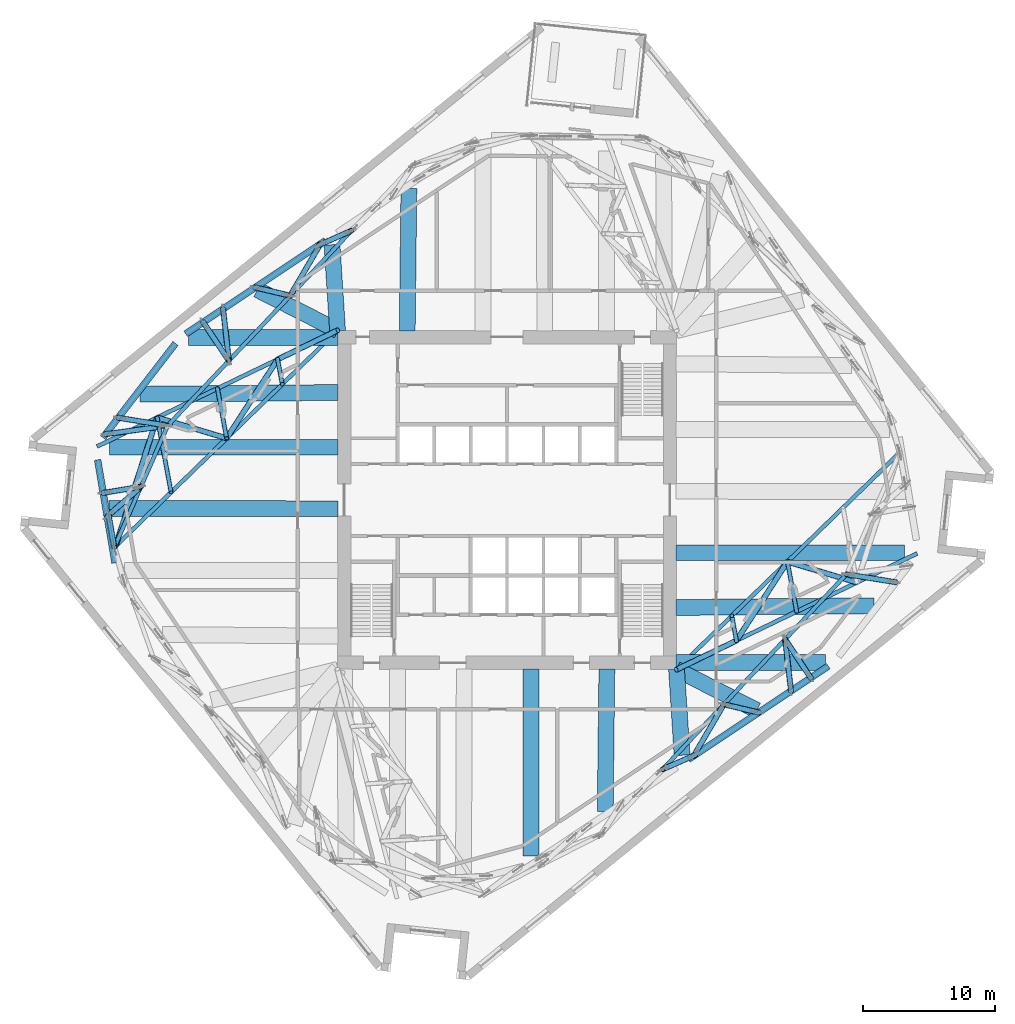
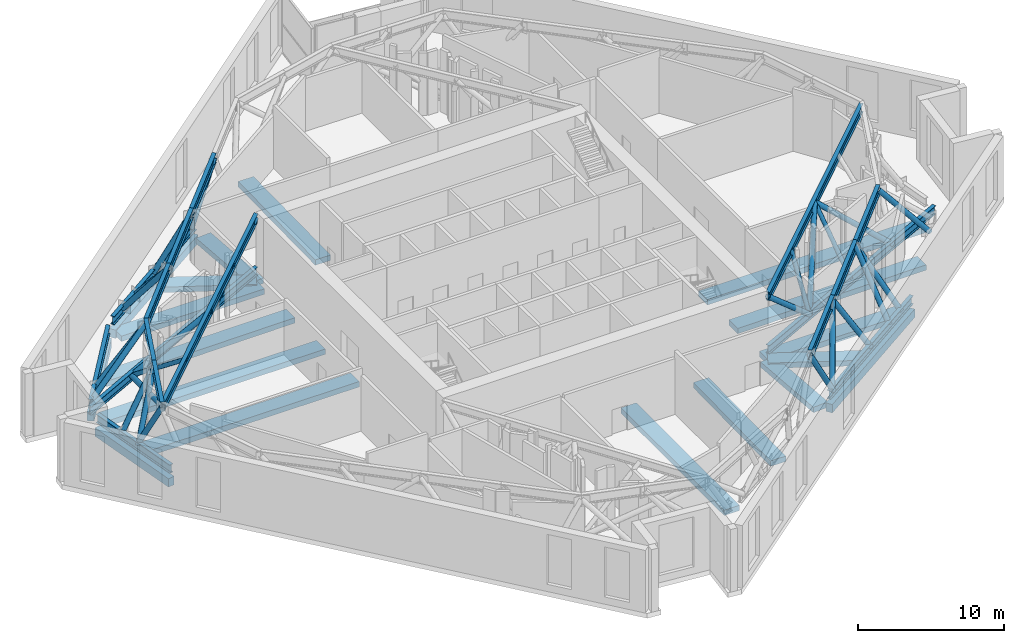
# One storey, part 2 of 17: 34 beams, 28 members.
"""IFC4 building model written with IfcOpenShell, lengths in metres."""

from ifc_helpers import new_model, si_unit, direction, frame, origin, origin_2d, place, context, subcontext, project, spatial, rectangle, hollow_circle, i_section, extrude, material, material_profile, profile_set, type_object, element, save


model = new_model("IFC4")

# Units and contexts
model_context = context("Model", 3, precision=1e-05, world=origin(), true_north=direction((0.0, 1.0)))
body_context = subcontext(model_context, "Body", "Model", "MODEL_VIEW")
ifc_project = project(units=[si_unit("LENGTHUNIT", "METRE"), si_unit("AREAUNIT", "SQUARE_METRE"), si_unit("VOLUMEUNIT", "CUBIC_METRE"), si_unit("PLANEANGLEUNIT", "RADIAN"), si_unit("MASSUNIT", "GRAM", prefix="KILO")], contexts=[model_context])

# Site, building, storey
site_placement = place(None, origin())
site = spatial("IfcSite", under=ifc_project, at=site_placement, CompositionType="ELEMENT")
building_placement = place(site_placement, origin())
building = spatial("IfcBuilding", under=site, at=building_placement, Name="Dilmun Exchange Tower", CompositionType="ELEMENT")
storey_placement = place(building_placement, frame((0.0, 0.0, 183.699951171875)))
storey = spatial("IfcBuildingStorey", under=building, at=storey_placement, Name="L43", CompositionType="ELEMENT", Elevation=183.699951171875)

# Beams
ifc_material_1 = material(Name="Concrete C40/50", Category="concrete")
ifc_material_profile_1 = material_profile(ifc_material_1, rectangle(XDim=1.199951171875, YDim=0.449951171875, at=origin_2d()), Name="1200 x 450")
ifc_profile_set_1 = profile_set([ifc_material_profile_1], Name="Concrete C40/50")
beam_type_1 = type_object("IfcBeamType", Name="RC band beam 1200 x 450 C40/50", PredefinedType="BEAM", material=ifc_profile_set_1)
beam_1_placement = place(storey_placement, frame((-13.21875, 19.2783203125, -0.724853515625), z_axis=(0.064492965824, -0.997918161654, 0.0), x_axis=(0.997918161654, 0.064492965824, 0.0)))
element("IfcBeam", 1, at=beam_1_placement, inside=storey, type_object=beam_type_1, Name="Band beam 3", PredefinedType="BEAM", context=body_context, shape_type="SweptSolid", body=[
    extrude(rectangle(XDim=1.199951171875, YDim=0.449951171875, at=origin_2d()), origin(), (0.0, 0.0, 1.0), 6.518798828125),
])
beam_2_placement = place(storey_placement, frame((-24.06494140625, 12.258056640625, -0.724853515625), z_axis=(1.0, 0.0, 0.0), x_axis=(0.0, 1.0, 0.0)))
element("IfcBeam", 2, at=beam_2_placement, inside=storey, type_object=beam_type_1, Name="Band beam 4", PredefinedType="BEAM", context=body_context, shape_type="SweptSolid", body=[
    extrude(rectangle(XDim=1.199951171875, YDim=0.449951171875, at=origin_2d()), origin(), (0.0, 0.0, 1.0), 11.2919921875),
])
beam_3_placement = place(storey_placement, frame((-30.0244140625, 3.98193359375, -0.724853515625), z_axis=(1.0, 0.0, 0.0), x_axis=(0.0, 1.0, 0.0)))
element("IfcBeam", 3, at=beam_3_placement, inside=storey, type_object=beam_type_1, Name="Band beam 5", PredefinedType="BEAM", context=body_context, shape_type="SweptSolid", body=[
    extrude(rectangle(XDim=1.199951171875, YDim=0.449951171875, at=origin_2d()), origin(), (0.0, 0.0, 1.0), 17.25146484375),
])
beam_4_placement = place(storey_placement, frame((1.818115234375, -26.87890625, -0.724853515625), z_axis=(0.0, 1.0, 0.0), x_axis=(-1.0, 0.0, 0.0)))
element("IfcBeam", 4, at=beam_4_placement, inside=storey, type_object=beam_type_1, Name="Band beam 10", PredefinedType="BEAM", context=body_context, shape_type="SweptSolid", body=[
    extrude(rectangle(XDim=1.199951171875, YDim=0.449951171875, at=origin_2d()), origin(), (0.0, 0.0, 1.0), 14.10595703125),
])
beam_5_placement = place(storey_placement, frame((13.21875, -19.2783203125, -0.724853515625), z_axis=(-0.064492965824, 0.997918161654, 0.0), x_axis=(-0.997918161654, -0.064492965824, 0.0)))
element("IfcBeam", 5, at=beam_5_placement, inside=storey, type_object=beam_type_1, Name="Band beam 11", PredefinedType="BEAM", context=body_context, shape_type="SweptSolid", body=[
    extrude(rectangle(XDim=1.199951171875, YDim=0.449951171875, at=origin_2d()), origin(), (0.0, 0.0, 1.0), 6.518798828125),
])
beam_6_placement = place(storey_placement, frame((24.06494140625, -12.258056640625, -0.724853515625), z_axis=(-1.0, 0.0, 0.0), x_axis=(0.0, -1.0, 0.0)))
element("IfcBeam", 6, at=beam_6_placement, inside=storey, type_object=beam_type_1, Name="Band beam 12", PredefinedType="BEAM", context=body_context, shape_type="SweptSolid", body=[
    extrude(rectangle(XDim=1.199951171875, YDim=0.449951171875, at=origin_2d()), origin(), (0.0, 0.0, 1.0), 11.2919921875),
])
beam_7_placement = place(storey_placement, frame((30.0244140625, -3.98193359375, -0.724853515625), z_axis=(-1.0, 0.0, 0.0), x_axis=(0.0, -1.0, 0.0)))
element("IfcBeam", 7, at=beam_7_placement, inside=storey, type_object=beam_type_1, Name="Band beam 13", PredefinedType="BEAM", context=body_context, shape_type="SweptSolid", body=[
    extrude(rectangle(XDim=1.199951171875, YDim=0.449951171875, at=origin_2d()), origin(), (0.0, 0.0, 1.0), 17.25146484375),
])
beam_8_placement = place(storey_placement, frame((-7.414306640625, 23.513427734375, -0.625), z_axis=(-0.011523795482, -0.999933598864, 0.0), x_axis=(0.999933598864, -0.011523795482, 0.0)))
element("IfcBeam", 8, at=beam_8_placement, inside=storey, type_object=beam_type_1, Name="Band beam 18", PredefinedType="BEAM", context=body_context, shape_type="SweptSolid", body=[
    extrude(rectangle(XDim=1.199951171875, YDim=0.449951171875, at=origin_2d()), origin(), (0.0, 0.0, 1.0), 10.7412109375),
])
beam_9_placement = place(storey_placement, frame((-18.854736328125, 15.885986328125, -0.625), z_axis=(0.890922045004, -0.454156261354, 0.0), x_axis=(0.454156261354, 0.890922045004, 0.0)))
element("IfcBeam", 9, at=beam_9_placement, inside=storey, type_object=beam_type_1, Name="Band beam 19", PredefinedType="BEAM", context=body_context, shape_type="SweptSolid", body=[
    extrude(rectangle(XDim=1.199951171875, YDim=0.449951171875, at=origin_2d()), origin(), (0.0, 0.0, 1.0), 6.82275390625),
])
beam_10_placement = place(storey_placement, frame((-27.71240234375, 7.98388671875, -0.625), z_axis=(0.99995842598, 0.009118459957, 0.0), x_axis=(-0.009118459957, 0.99995842598, 0.0)))
element("IfcBeam", 10, at=beam_10_placement, inside=storey, type_object=beam_type_1, Name="Band beam 20", PredefinedType="BEAM", context=body_context, shape_type="SweptSolid", body=[
    extrude(rectangle(XDim=1.199951171875, YDim=0.449951171875, at=origin_2d()), origin(), (0.0, 0.0, 1.0), 14.940185546875),
])
beam_11_placement = place(storey_placement, frame((-30.07470703125, -0.6279296875, -0.625), z_axis=(0.999997699854, -0.002144827713, 0.0), x_axis=(0.002144827713, 0.999997699854, 0.0)))
element("IfcBeam", 11, at=beam_11_placement, inside=storey, type_object=beam_type_1, Name="Band beam 21", PredefinedType="BEAM", context=body_context, shape_type="SweptSolid", body=[
    extrude(rectangle(XDim=1.199951171875, YDim=0.449951171875, at=origin_2d()), origin(), (0.0, 0.0, 1.0), 17.3017578125),
])
beam_12_placement = place(storey_placement, frame((7.414306640625, -23.513427734375, -0.625), z_axis=(0.011523795482, 0.999933598864, 0.0), x_axis=(-0.999933598864, 0.011523795482, 0.0)))
element("IfcBeam", 12, at=beam_12_placement, inside=storey, type_object=beam_type_1, Name="Band beam 26", PredefinedType="BEAM", context=body_context, shape_type="SweptSolid", body=[
    extrude(rectangle(XDim=1.199951171875, YDim=0.449951171875, at=origin_2d()), origin(), (0.0, 0.0, 1.0), 10.7412109375),
])
beam_13_placement = place(storey_placement, frame((18.854736328125, -15.885986328125, -0.625), z_axis=(-0.890922045004, 0.454156261354, 0.0), x_axis=(-0.454156261354, -0.890922045004, 0.0)))
element("IfcBeam", 13, at=beam_13_placement, inside=storey, type_object=beam_type_1, Name="Band beam 27", PredefinedType="BEAM", context=body_context, shape_type="SweptSolid", body=[
    extrude(rectangle(XDim=1.199951171875, YDim=0.449951171875, at=origin_2d()), origin(), (0.0, 0.0, 1.0), 6.82275390625),
])
beam_14_placement = place(storey_placement, frame((27.71240234375, -7.98388671875, -0.625), z_axis=(-0.99995842598, -0.009118459957, 0.0), x_axis=(0.009118459957, -0.99995842598, 0.0)))
element("IfcBeam", 14, at=beam_14_placement, inside=storey, type_object=beam_type_1, Name="Band beam 28", PredefinedType="BEAM", context=body_context, shape_type="SweptSolid", body=[
    extrude(rectangle(XDim=1.199951171875, YDim=0.449951171875, at=origin_2d()), origin(), (0.0, 0.0, 1.0), 14.940185546875),
])
ifc_material_profile_2 = material_profile(ifc_material_1, rectangle(XDim=0.5, YDim=0.699951171875, at=origin_2d()), Name="500 x 700")
ifc_profile_set_2 = profile_set([ifc_material_profile_2], Name="Concrete C40/50")
beam_type_2 = type_object("IfcBeamType", Name="RC ring beam 500 x 700 C40/50", PredefinedType="SPANDREL", material=ifc_profile_set_2)
beam_15_placement = place(storey_placement, frame((-13.693115234375, 19.594970703125, -0.75), z_axis=(-0.832062120058, -0.554682457235, 0.0), x_axis=(0.554682457235, -0.832062120058, 0.0)))
element("IfcBeam", 15, at=beam_15_placement, inside=storey, type_object=beam_type_2, Name="Ring beam 3", PredefinedType="SPANDREL", context=body_context, shape_type="SweptSolid", body=[
    extrude(rectangle(XDim=0.5, YDim=0.699951171875, at=origin_2d()), origin(), (0.0, 0.0, 1.0), 12.704345703125),
])
beam_16_placement = place(storey_placement, frame((-25.037109375, 11.819580078125, -0.75), z_axis=(-0.610521727247, -0.791999507929, 0.0), x_axis=(0.791999507929, -0.610521727247, 0.0)))
element("IfcBeam", 16, at=beam_16_placement, inside=storey, type_object=beam_type_2, Name="Ring beam 4", PredefinedType="SPANDREL", context=body_context, shape_type="SweptSolid", body=[
    extrude(rectangle(XDim=0.5, YDim=0.699951171875, at=origin_2d()), origin(), (0.0, 0.0, 1.0), 8.97314453125),
])
beam_17_placement = place(storey_placement, frame((-30.91943359375, 3.036376953125, -0.75), z_axis=(0.166485785433, -0.986043854628, 0.0), x_axis=(0.986043854628, 0.166485785433, 0.0)))
element("IfcBeam", 17, at=beam_17_placement, inside=storey, type_object=beam_type_2, Name="Ring beam 5", PredefinedType="SPANDREL", context=body_context, shape_type="SweptSolid", body=[
    extrude(rectangle(XDim=0.5, YDim=0.699951171875, at=origin_2d()), origin(), (0.0, 0.0, 1.0), 7.890869140625),
])
beam_18_placement = place(storey_placement, frame((13.693115234375, -19.594970703125, -0.75), z_axis=(0.832062120058, 0.554682457235, 0.0), x_axis=(-0.554682457235, 0.832062120058, 0.0)))
element("IfcBeam", 18, at=beam_18_placement, inside=storey, type_object=beam_type_2, Name="Ring beam 11", PredefinedType="SPANDREL", context=body_context, shape_type="SweptSolid", body=[
    extrude(rectangle(XDim=0.5, YDim=0.699951171875, at=origin_2d()), origin(), (0.0, 0.0, 1.0), 12.704345703125),
])
ifc_material_2 = material(Name="Steel S355", Category="steel")
ifc_material_profile_3 = material_profile(ifc_material_2, i_section(OverallWidth=0.300048828125, OverallDepth=0.699951171875, WebThickness=0.01708984375, FlangeThickness=0.031982421875, FilletRadius=0.027099609375, at=origin_2d()), Name="HEB 700")
ifc_profile_set_3 = profile_set([ifc_material_profile_3], Name="Steel S355")
beam_type_3 = type_object("IfcBeamType", Name="belt bottom chord HEB 700", PredefinedType="BEAM", material=ifc_profile_set_3)
beam_19_placement = place(storey_placement, frame((-13.693115234375, 19.594970703125, 0.35009765625), z_axis=(-0.832062120058, -0.554682457235, 0.0), x_axis=(0.554682457235, -0.832062120058, 0.0)))
element("IfcBeam", 19, at=beam_19_placement, inside=storey, type_object=beam_type_3, Name="Belt bottom chord 3", PredefinedType="BEAM", context=body_context, shape_type="SweptSolid", body=[
    extrude(i_section(OverallWidth=0.300048828125, OverallDepth=0.699951171875, WebThickness=0.01708984375, FlangeThickness=0.031982421875, FilletRadius=0.027099609375, at=origin_2d()), origin(), (0.0, 0.0, 1.0), 12.704345703125),
])
beam_20_placement = place(storey_placement, frame((-25.037109375, 11.819580078125, 0.35009765625), z_axis=(-0.610521727247, -0.791999507929, 0.0), x_axis=(0.791999507929, -0.610521727247, 0.0)))
element("IfcBeam", 20, at=beam_20_placement, inside=storey, type_object=beam_type_3, Name="Belt bottom chord 4", PredefinedType="BEAM", context=body_context, shape_type="SweptSolid", body=[
    extrude(i_section(OverallWidth=0.300048828125, OverallDepth=0.699951171875, WebThickness=0.01708984375, FlangeThickness=0.031982421875, FilletRadius=0.027099609375, at=origin_2d()), origin(), (0.0, 0.0, 1.0), 8.97314453125),
])
beam_21_placement = place(storey_placement, frame((-30.91943359375, 3.036376953125, 0.35009765625), z_axis=(0.166485785433, -0.986043854628, 0.0), x_axis=(0.986043854628, 0.166485785433, 0.0)))
element("IfcBeam", 21, at=beam_21_placement, inside=storey, type_object=beam_type_3, Name="Belt bottom chord 5", PredefinedType="BEAM", context=body_context, shape_type="SweptSolid", body=[
    extrude(i_section(OverallWidth=0.300048828125, OverallDepth=0.699951171875, WebThickness=0.01708984375, FlangeThickness=0.031982421875, FilletRadius=0.027099609375, at=origin_2d()), origin(), (0.0, 0.0, 1.0), 7.890869140625),
])
beam_22_placement = place(storey_placement, frame((13.693115234375, -19.594970703125, 0.35009765625), z_axis=(0.832062120058, 0.554682457235, 0.0), x_axis=(-0.554682457235, 0.832062120058, 0.0)))
element("IfcBeam", 22, at=beam_22_placement, inside=storey, type_object=beam_type_3, Name="Belt bottom chord 11", PredefinedType="BEAM", context=body_context, shape_type="SweptSolid", body=[
    extrude(i_section(OverallWidth=0.300048828125, OverallDepth=0.699951171875, WebThickness=0.01708984375, FlangeThickness=0.031982421875, FilletRadius=0.027099609375, at=origin_2d()), origin(), (0.0, 0.0, 1.0), 12.704345703125),
])
ifc_material_profile_4 = material_profile(ifc_material_2, i_section(OverallWidth=0.300048828125, OverallDepth=0.699951171875, WebThickness=0.01708984375, FlangeThickness=0.031982421875, FilletRadius=0.027099609375, at=origin_2d()), Name="HEB 700")
ifc_profile_set_4 = profile_set([ifc_material_profile_4], Name="Steel S355")
beam_type_4 = type_object("IfcBeamType", Name="outrigger chord HEB 700", PredefinedType="BEAM", material=ifc_profile_set_4)
beam_23_placement = place(storey_placement, frame((-12.775634765625, 12.811767578125, 0.35009765625), z_axis=(-0.900673331742, -0.43449689238, 0.0), x_axis=(0.43449689238, -0.900673331742, 0.0)))
element("IfcBeam", 23, at=beam_23_placement, inside=storey, type_object=beam_type_4, Name="Outrigger bottom chord 2", PredefinedType="BEAM", context=body_context, shape_type="SweptSolid", body=[
    extrude(i_section(OverallWidth=0.300048828125, OverallDepth=0.699951171875, WebThickness=0.01708984375, FlangeThickness=0.031982421875, FilletRadius=0.027099609375, at=origin_2d()), origin(), (0.0, 0.0, 1.0), 20.198974609375),
])
beam_24_placement = place(storey_placement, frame((-12.780517578125, 12.81884765625, 4.77001953125), z_axis=(-0.717181382351, -0.696886550888, 0.0), x_axis=(0.696886550888, -0.717181382351, 0.0)))
element("IfcBeam", 24, at=beam_24_placement, inside=storey, type_object=beam_type_4, Name="Outrigger top chord 2", PredefinedType="BEAM", context=body_context, shape_type="SweptSolid", body=[
    extrude(i_section(OverallWidth=0.300048828125, OverallDepth=0.699951171875, WebThickness=0.01708984375, FlangeThickness=0.031982421875, FilletRadius=0.027099609375, at=origin_2d()), origin(), (0.0, 0.0, 1.0), 23.40966796875),
])
beam_25_placement = place(storey_placement, frame((12.775634765625, -12.811767578125, 0.35009765625), z_axis=(0.900673331742, 0.43449689238, 0.0), x_axis=(-0.43449689238, 0.900673331742, 0.0)))
element("IfcBeam", 25, at=beam_25_placement, inside=storey, type_object=beam_type_4, Name="Outrigger bottom chord 4", PredefinedType="BEAM", context=body_context, shape_type="SweptSolid", body=[
    extrude(i_section(OverallWidth=0.300048828125, OverallDepth=0.699951171875, WebThickness=0.01708984375, FlangeThickness=0.031982421875, FilletRadius=0.027099609375, at=origin_2d()), origin(), (0.0, 0.0, 1.0), 20.198974609375),
])
beam_26_placement = place(storey_placement, frame((12.780517578125, -12.81884765625, 4.77001953125), z_axis=(0.717181382351, 0.696886550888, 0.0), x_axis=(-0.696886550888, 0.717181382351, 0.0)))
element("IfcBeam", 26, at=beam_26_placement, inside=storey, type_object=beam_type_4, Name="Outrigger top chord 4", PredefinedType="BEAM", context=body_context, shape_type="SweptSolid", body=[
    extrude(i_section(OverallWidth=0.300048828125, OverallDepth=0.699951171875, WebThickness=0.01708984375, FlangeThickness=0.031982421875, FilletRadius=0.027099609375, at=origin_2d()), origin(), (0.0, 0.0, 1.0), 23.40966796875),
])

# Members
ifc_material_profile_5 = material_profile(ifc_material_2, hollow_circle(Radius=0.161865234375, WallThickness=0.01611328125, at=origin_2d()), Name="CHS 323.9x16")
ifc_profile_set_5 = profile_set([ifc_material_profile_5], Name="Steel S355")
member_type_1 = type_object("IfcMemberType", Name="outrigger post CHS 323.9x16", PredefinedType="POST", material=ifc_profile_set_5)
member_1_placement = place(storey_placement, frame((-16.977783203125, 8.740234375, 4.77001953125), z_axis=(-0.071854098654, 0.38994920159, -0.918028653521), x_axis=(-0.983443593616, -0.181214508733, 0.0)))
element("IfcMember", 27, at=member_1_placement, inside=storey, type_object=member_type_1, Name="Outrigger post 2.1", PredefinedType="POST", context=body_context, shape_type="SweptSolid", body=[
    extrude(hollow_circle(Radius=0.161865234375, WallThickness=0.01611328125, at=origin_2d()), origin(), (0.0, 0.0, 1.0), 4.814697265625),
])
member_2_placement = place(storey_placement, frame((-21.17529296875, 4.661865234375, 4.77001953125), z_axis=(-0.119154504238, 0.64350949923, -0.756106955741), x_axis=(-0.983285813451, -0.182068693262, 0.0)))
element("IfcMember", 28, at=member_2_placement, inside=storey, type_object=member_type_1, Name="Outrigger post 2.2", PredefinedType="POST", context=body_context, shape_type="SweptSolid", body=[
    extrude(hollow_circle(Radius=0.161865234375, WallThickness=0.01611328125, at=origin_2d()), origin(), (0.0, 0.0, 1.0), 5.845703125),
])
member_3_placement = place(storey_placement, frame((-25.372314453125, 0.583251953125, 4.77001953125), z_axis=(-0.144598346735, 0.779153300311, -0.609927415957), x_axis=(-0.983211733751, -0.182468316741, 0.0)))
element("IfcMember", 29, at=member_3_placement, inside=storey, type_object=member_type_1, Name="Outrigger post 2.3", PredefinedType="POST", context=body_context, shape_type="SweptSolid", body=[
    extrude(hollow_circle(Radius=0.161865234375, WallThickness=0.01611328125, at=origin_2d()), origin(), (0.0, 0.0, 1.0), 7.24658203125),
])
member_4_placement = place(storey_placement, frame((16.977783203125, -8.740234375, 4.77001953125), z_axis=(0.071854098654, -0.38994920159, -0.918028653521), x_axis=(0.983443593616, 0.181214508733, 0.0)))
element("IfcMember", 30, at=member_4_placement, inside=storey, type_object=member_type_1, Name="Outrigger post 4.1", PredefinedType="POST", context=body_context, shape_type="SweptSolid", body=[
    extrude(hollow_circle(Radius=0.161865234375, WallThickness=0.01611328125, at=origin_2d()), origin(), (0.0, 0.0, 1.0), 4.814697265625),
])
member_5_placement = place(storey_placement, frame((21.17529296875, -4.661865234375, 4.77001953125), z_axis=(0.119154504238, -0.64350949923, -0.756106955741), x_axis=(0.983285813451, 0.182068693262, 0.0)))
element("IfcMember", 31, at=member_5_placement, inside=storey, type_object=member_type_1, Name="Outrigger post 4.2", PredefinedType="POST", context=body_context, shape_type="SweptSolid", body=[
    extrude(hollow_circle(Radius=0.161865234375, WallThickness=0.01611328125, at=origin_2d()), origin(), (0.0, 0.0, 1.0), 5.845703125),
])

# Beams
ifc_material_profile_6 = material_profile(ifc_material_2, i_section(OverallWidth=0.302978515625, OverallDepth=0.81396484375, WebThickness=0.02099609375, FlangeThickness=0.0400390625, FilletRadius=0.030029296875, at=origin_2d()), Name="HEM 800")
ifc_profile_set_6 = profile_set([ifc_material_profile_6], Name="Steel S355")
beam_type_5 = type_object("IfcBeamType", Name="transfer chord HEM 800", PredefinedType="BEAM", material=ifc_profile_set_6)
for number, where, z_axis, x_axis, name in (
    (32, (-11.742919921875, 20.344970703125, 4.81298828125), (-0.68592971176, -0.727667802314, 0.0), (0.727667802314, -0.68592971176, 0.0), "Transfer chord 4"),
    (33, (-16.373046875, 15.43310546875, 4.81298828125), (-0.685892507257, -0.727702871019, 0.0), (0.727702871019, -0.685892507257, 0.0), "Transfer chord 5"),
    (34, (-21.0029296875, 10.52099609375, 4.81298828125), (-0.685911659433, -0.72768481876, 0.0), (0.72768481876, -0.685911659433, 0.0), "Transfer chord 6"),
):
    element("IfcBeam", number, at=place(storey_placement, frame(where, z_axis=z_axis, x_axis=x_axis)), inside=storey, type_object=beam_type_5, Name=name, PredefinedType="BEAM", context=body_context, shape_type="SweptSolid", body=[
        extrude(i_section(OverallWidth=0.302978515625, OverallDepth=0.81396484375, WebThickness=0.02099609375, FlangeThickness=0.0400390625, FilletRadius=0.030029296875, at=origin_2d()), origin(), (0.0, 0.0, 1.0), 6.750244140625),
    ])
for number, where, z_axis, x_axis, name in (
    (35, (-25.633056640625, 5.60888671875, 4.81298828125), (-0.401224690202, -0.915979665698, 0.0), (0.915979665698, -0.401224690202, 0.0), "Transfer chord 7"),
    (36, (-27.64599609375, 1.013427734375, 4.81298828125), (-0.401224690202, -0.915979665698, 0.0), (0.915979665698, -0.401224690202, 0.0), "Transfer chord 8"),
):
    element("IfcBeam", number, at=place(storey_placement, frame(where, z_axis=z_axis, x_axis=x_axis)), inside=storey, type_object=beam_type_5, Name=name, PredefinedType="BEAM", context=body_context, shape_type="SweptSolid", body=[
        extrude(i_section(OverallWidth=0.302978515625, OverallDepth=0.81396484375, WebThickness=0.02099609375, FlangeThickness=0.0400390625, FilletRadius=0.030029296875, at=origin_2d()), origin(), (0.0, 0.0, 1.0), 5.01708984375),
    ])
for number, where, z_axis, x_axis, name in (
    (37, (11.742919921875, -20.344970703125, 4.81298828125), (0.68592971176, 0.727667802314, 0.0), (-0.727667802314, 0.68592971176, 0.0), "Transfer chord 20"),
    (38, (16.373046875, -15.43310546875, 4.81298828125), (0.685892507257, 0.727702871019, 0.0), (-0.727702871019, 0.685892507257, 0.0), "Transfer chord 21"),
    (39, (21.0029296875, -10.52099609375, 4.81298828125), (0.685911659433, 0.72768481876, 0.0), (-0.72768481876, 0.685911659433, 0.0), "Transfer chord 22"),
):
    element("IfcBeam", number, at=place(storey_placement, frame(where, z_axis=z_axis, x_axis=x_axis)), inside=storey, type_object=beam_type_5, Name=name, PredefinedType="BEAM", context=body_context, shape_type="SweptSolid", body=[
        extrude(i_section(OverallWidth=0.302978515625, OverallDepth=0.81396484375, WebThickness=0.02099609375, FlangeThickness=0.0400390625, FilletRadius=0.030029296875, at=origin_2d()), origin(), (0.0, 0.0, 1.0), 6.750244140625),
    ])

# Members
ifc_material_profile_7 = material_profile(ifc_material_2, hollow_circle(Radius=0.203125, WallThickness=0.02490234375, at=origin_2d()), Name="CHS 406.4x25")
ifc_profile_set_7 = profile_set([ifc_material_profile_7], Name="Steel S355")
member_type_2 = type_object("IfcMemberType", Name="truss diagonal CHS 406.4x25", PredefinedType="BRACE", material=ifc_profile_set_7)
member_6_placement = place(storey_placement, frame((-11.742919921875, 20.344970703125, 4.81298828125), z_axis=(-0.471921289128, -0.209019149206, -0.85650527852), x_axis=(0.404967357908, -0.914331142983, 0.0)))
element("IfcMember", 40, at=member_6_placement, inside=storey, type_object=member_type_2, Name="Truss diagonal 7", PredefinedType="BRACE", context=body_context, shape_type="SweptSolid", body=[
    extrude(hollow_circle(Radius=0.203125, WallThickness=0.02490234375, at=origin_2d()), origin(), (0.0, 0.0, 1.0), 5.210693359375),
])
member_7_placement = place(storey_placement, frame((-16.373046875, 15.43310546875, 4.81298828125), z_axis=(0.363273555719, 0.62161452267, -0.693994026575), x_axis=(-0.863376578123, 0.504560089928, 0.0)))
element("IfcMember", 41, at=member_7_placement, inside=storey, type_object=member_type_2, Name="Truss diagonal 9", PredefinedType="BRACE", context=body_context, shape_type="SweptSolid", body=[
    extrude(hollow_circle(Radius=0.203125, WallThickness=0.02490234375, at=origin_2d()), origin(), (0.0, 0.0, 1.0), 6.209716796875),
])
member_8_placement = place(storey_placement, frame((-16.373046875, 15.43310546875, 4.81298828125), z_axis=(-0.504909964356, 0.118474936518, -0.855002700178), x_axis=(-0.228441106045, -0.973557733814, 0.0)))
element("IfcMember", 42, at=member_8_placement, inside=storey, type_object=member_type_2, Name="Truss diagonal 10", PredefinedType="BRACE", context=body_context, shape_type="SweptSolid", body=[
    extrude(hollow_circle(Radius=0.203125, WallThickness=0.02490234375, at=origin_2d()), origin(), (0.0, 0.0, 1.0), 5.2197265625),
])
member_9_placement = place(storey_placement, frame((-21.0029296875, 10.52099609375, 4.81298828125), z_axis=(-0.342037509538, 0.513056264307, -0.787263368717), x_axis=(-0.832050294338, -0.554700196225, 0.0)))
element("IfcMember", 43, at=member_9_placement, inside=storey, type_object=member_type_2, Name="Truss diagonal 11", PredefinedType="BRACE", context=body_context, shape_type="SweptSolid", body=[
    extrude(hollow_circle(Radius=0.203125, WallThickness=0.02490234375, at=origin_2d()), origin(), (0.0, 0.0, 1.0), 5.6689453125),
])
member_10_placement = place(storey_placement, frame((-21.0029296875, 10.52099609375, 4.81298828125), z_axis=(-0.074174103923, 0.656853354168, -0.750361161992), x_axis=(-0.993684490895, -0.112210215913, 0.0)))
element("IfcMember", 44, at=member_10_placement, inside=storey, type_object=member_type_2, Name="Truss diagonal 12", PredefinedType="BRACE", context=body_context, shape_type="SweptSolid", body=[
    extrude(hollow_circle(Radius=0.203125, WallThickness=0.02490234375, at=origin_2d()), origin(), (0.0, 0.0, 1.0), 5.94775390625),
])
member_11_placement = place(storey_placement, frame((-25.633056640625, 5.60888671875, 4.81298828125), z_axis=(-0.720420555672, -0.097991618255, -0.686579832005), x_axis=(0.134778931438, -0.990875693334, 0.0)))
element("IfcMember", 45, at=member_11_placement, inside=storey, type_object=member_type_2, Name="Truss diagonal 13", PredefinedType="BRACE", context=body_context, shape_type="SweptSolid", body=[
    extrude(hollow_circle(Radius=0.203125, WallThickness=0.02490234375, at=origin_2d()), origin(), (0.0, 0.0, 1.0), 6.500244140625),
])
member_12_placement = place(storey_placement, frame((-25.633056640625, 5.60888671875, 4.81298828125), z_axis=(-0.637692156838, 0.102857615081, -0.763393099345), x_axis=(-0.159238536855, -0.98724013714, 0.0)))
element("IfcMember", 46, at=member_12_placement, inside=storey, type_object=member_type_2, Name="Truss diagonal 14", PredefinedType="BRACE", context=body_context, shape_type="SweptSolid", body=[
    extrude(hollow_circle(Radius=0.203125, WallThickness=0.02490234375, at=origin_2d()), origin(), (0.0, 0.0, 1.0), 5.84619140625),
])
member_13_placement = place(storey_placement, frame((-27.64599609375, 1.013427734375, 4.81298828125), z_axis=(-0.536085997469, -0.090495503684, -0.839298735332), x_axis=(0.166452843361, -0.986049416073, 0.0)))
element("IfcMember", 47, at=member_13_placement, inside=storey, type_object=member_type_2, Name="Truss diagonal 15", PredefinedType="BRACE", context=body_context, shape_type="SweptSolid", body=[
    extrude(hollow_circle(Radius=0.203125, WallThickness=0.02490234375, at=origin_2d()), origin(), (0.0, 0.0, 1.0), 5.3173828125),
])
member_14_placement = place(storey_placement, frame((-27.64599609375, 1.013427734375, 4.81298828125), z_axis=(-0.454417716424, -0.401882870847, -0.794980941356), x_axis=(0.662479520923, -0.749080025336, 0.0)))
element("IfcMember", 48, at=member_14_placement, inside=storey, type_object=member_type_2, Name="Truss diagonal 16", PredefinedType="BRACE", context=body_context, shape_type="SweptSolid", body=[
    extrude(hollow_circle(Radius=0.203125, WallThickness=0.02490234375, at=origin_2d()), origin(), (0.0, 0.0, 1.0), 5.61376953125),
])
member_15_placement = place(storey_placement, frame((-29.658935546875, -3.58203125, 4.81298828125), z_axis=(-0.0860969888, 0.494797760822, -0.864732608617), x_axis=(-0.985196557149, -0.171428538411, 0.0)))
element("IfcMember", 49, at=member_15_placement, inside=storey, type_object=member_type_2, Name="Truss diagonal 18", PredefinedType="BRACE", context=body_context, shape_type="SweptSolid", body=[
    extrude(hollow_circle(Radius=0.203125, WallThickness=0.02490234375, at=origin_2d()), origin(), (0.0, 0.0, 1.0), 4.93115234375),
])
member_16_placement = place(storey_placement, frame((11.742919921875, -20.344970703125, 4.81298828125), z_axis=(0.471921289128, 0.209019149206, -0.85650527852), x_axis=(-0.404967357908, 0.914331142983, 0.0)))
element("IfcMember", 50, at=member_16_placement, inside=storey, type_object=member_type_2, Name="Truss diagonal 39", PredefinedType="BRACE", context=body_context, shape_type="SweptSolid", body=[
    extrude(hollow_circle(Radius=0.203125, WallThickness=0.02490234375, at=origin_2d()), origin(), (0.0, 0.0, 1.0), 5.210693359375),
])
member_17_placement = place(storey_placement, frame((16.373046875, -15.43310546875, 4.81298828125), z_axis=(-0.363273555719, -0.62161452267, -0.693994026575), x_axis=(0.863376578123, -0.504560089928, 0.0)))
element("IfcMember", 51, at=member_17_placement, inside=storey, type_object=member_type_2, Name="Truss diagonal 41", PredefinedType="BRACE", context=body_context, shape_type="SweptSolid", body=[
    extrude(hollow_circle(Radius=0.203125, WallThickness=0.02490234375, at=origin_2d()), origin(), (0.0, 0.0, 1.0), 6.209716796875),
])
member_18_placement = place(storey_placement, frame((16.373046875, -15.43310546875, 4.81298828125), z_axis=(0.504909964356, -0.118474936518, -0.855002700178), x_axis=(0.228441106045, 0.973557733814, 0.0)))
element("IfcMember", 52, at=member_18_placement, inside=storey, type_object=member_type_2, Name="Truss diagonal 42", PredefinedType="BRACE", context=body_context, shape_type="SweptSolid", body=[
    extrude(hollow_circle(Radius=0.203125, WallThickness=0.02490234375, at=origin_2d()), origin(), (0.0, 0.0, 1.0), 5.2197265625),
])
member_19_placement = place(storey_placement, frame((21.0029296875, -10.52099609375, 4.81298828125), z_axis=(0.342037509538, -0.513056264307, -0.787263368717), x_axis=(0.832050294338, 0.554700196225, 0.0)))
element("IfcMember", 53, at=member_19_placement, inside=storey, type_object=member_type_2, Name="Truss diagonal 43", PredefinedType="BRACE", context=body_context, shape_type="SweptSolid", body=[
    extrude(hollow_circle(Radius=0.203125, WallThickness=0.02490234375, at=origin_2d()), origin(), (0.0, 0.0, 1.0), 5.6689453125),
])
member_20_placement = place(storey_placement, frame((21.0029296875, -10.52099609375, 4.81298828125), z_axis=(0.074174103923, -0.656853354168, -0.750361161992), x_axis=(0.993684490895, 0.112210215913, 0.0)))
element("IfcMember", 54, at=member_20_placement, inside=storey, type_object=member_type_2, Name="Truss diagonal 44", PredefinedType="BRACE", context=body_context, shape_type="SweptSolid", body=[
    extrude(hollow_circle(Radius=0.203125, WallThickness=0.02490234375, at=origin_2d()), origin(), (0.0, 0.0, 1.0), 5.94775390625),
])
member_21_placement = place(storey_placement, frame((25.633056640625, -5.60888671875, 4.81298828125), z_axis=(0.637692156838, -0.102857615081, -0.763393099345), x_axis=(0.159238536855, 0.98724013714, 0.0)))
element("IfcMember", 55, at=member_21_placement, inside=storey, type_object=member_type_2, Name="Truss diagonal 46", PredefinedType="BRACE", context=body_context, shape_type="SweptSolid", body=[
    extrude(hollow_circle(Radius=0.203125, WallThickness=0.02490234375, at=origin_2d()), origin(), (0.0, 0.0, 1.0), 5.84619140625),
])
member_22_placement = place(storey_placement, frame((-12.780517578125, 12.81884765625, 4.77001953125), z_axis=(-0.677099327415, -0.328052422805, -0.658724607637), x_axis=(0.43601719678, -0.899938333505, 0.0)))
element("IfcMember", 56, at=member_22_placement, inside=storey, type_object=member_type_2, Name="Outrigger diagonal 2.0", PredefinedType="BRACE", context=body_context, shape_type="SweptSolid", body=[
    extrude(hollow_circle(Radius=0.203125, WallThickness=0.02490234375, at=origin_2d()), origin(), (0.0, 0.0, 1.0), 6.709716796875),
])
member_23_placement = place(storey_placement, frame((-21.17529296875, 4.661865234375, 4.77001953125), z_axis=(0.460870444042, 0.71266065431, -0.528879216464), x_axis=(-0.839711424634, 0.543032893422, 0.0)))
element("IfcMember", 57, at=member_23_placement, inside=storey, type_object=member_type_2, Name="Outrigger diagonal 2.1", PredefinedType="BRACE", context=body_context, shape_type="SweptSolid", body=[
    extrude(hollow_circle(Radius=0.203125, WallThickness=0.02490234375, at=origin_2d()), origin(), (0.0, 0.0, 1.0), 8.357177734375),
])
member_24_placement = place(storey_placement, frame((-21.17529296875, 4.661865234375, 4.77001953125), z_axis=(-0.74545981155, 0.222808613786, -0.628208556919), x_axis=(-0.286369832311, -0.958119157069, 0.0)))
element("IfcMember", 58, at=member_24_placement, inside=storey, type_object=member_type_2, Name="Outrigger diagonal 2.2", PredefinedType="BRACE", context=body_context, shape_type="SweptSolid", body=[
    extrude(hollow_circle(Radius=0.203125, WallThickness=0.02490234375, at=origin_2d()), origin(), (0.0, 0.0, 1.0), 7.03564453125),
])
member_25_placement = place(storey_placement, frame((-29.569580078125, -3.4951171875, 4.77001953125), z_axis=(0.282800023616, 0.873216320983, -0.396884622291), x_axis=(-0.951352306014, 0.308105160363, 0.0)))
element("IfcMember", 59, at=member_25_placement, inside=storey, type_object=member_type_2, Name="Outrigger diagonal 2.3", PredefinedType="BRACE", context=body_context, shape_type="SweptSolid", body=[
    extrude(hollow_circle(Radius=0.203125, WallThickness=0.02490234375, at=origin_2d()), origin(), (0.0, 0.0, 1.0), 11.136474609375),
])
member_26_placement = place(storey_placement, frame((12.780517578125, -12.81884765625, 4.77001953125), z_axis=(0.677099327415, 0.328052422805, -0.658724607637), x_axis=(-0.43601719678, 0.899938333505, 0.0)))
element("IfcMember", 60, at=member_26_placement, inside=storey, type_object=member_type_2, Name="Outrigger diagonal 4.0", PredefinedType="BRACE", context=body_context, shape_type="SweptSolid", body=[
    extrude(hollow_circle(Radius=0.203125, WallThickness=0.02490234375, at=origin_2d()), origin(), (0.0, 0.0, 1.0), 6.709716796875),
])
member_27_placement = place(storey_placement, frame((21.17529296875, -4.661865234375, 4.77001953125), z_axis=(-0.460870444042, -0.71266065431, -0.528879216464), x_axis=(0.839711424634, -0.543032893422, 0.0)))
element("IfcMember", 61, at=member_27_placement, inside=storey, type_object=member_type_2, Name="Outrigger diagonal 4.1", PredefinedType="BRACE", context=body_context, shape_type="SweptSolid", body=[
    extrude(hollow_circle(Radius=0.203125, WallThickness=0.02490234375, at=origin_2d()), origin(), (0.0, 0.0, 1.0), 8.357177734375),
])
member_28_placement = place(storey_placement, frame((21.17529296875, -4.661865234375, 4.77001953125), z_axis=(0.74545981155, -0.222808613786, -0.628208556919), x_axis=(0.286369832311, 0.958119157069, 0.0)))
element("IfcMember", 62, at=member_28_placement, inside=storey, type_object=member_type_2, Name="Outrigger diagonal 4.2", PredefinedType="BRACE", context=body_context, shape_type="SweptSolid", body=[
    extrude(hollow_circle(Radius=0.203125, WallThickness=0.02490234375, at=origin_2d()), origin(), (0.0, 0.0, 1.0), 7.03564453125),
])

save(model, "model.ifc")
